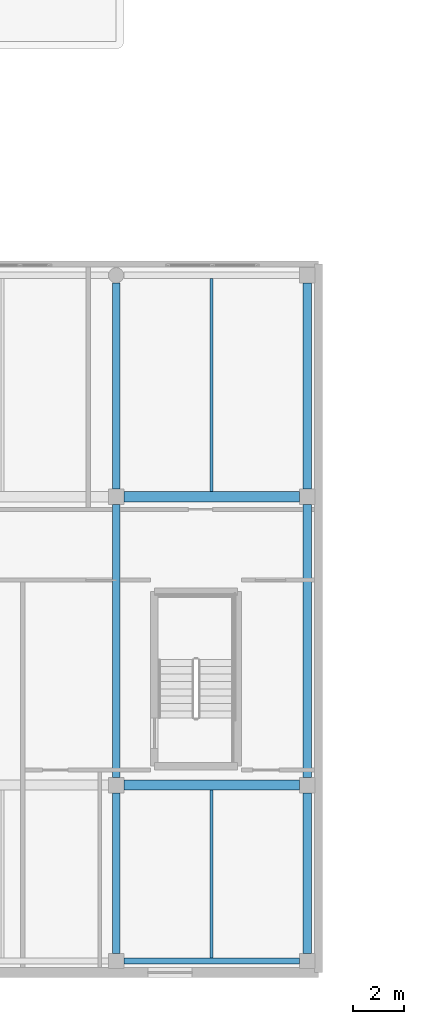
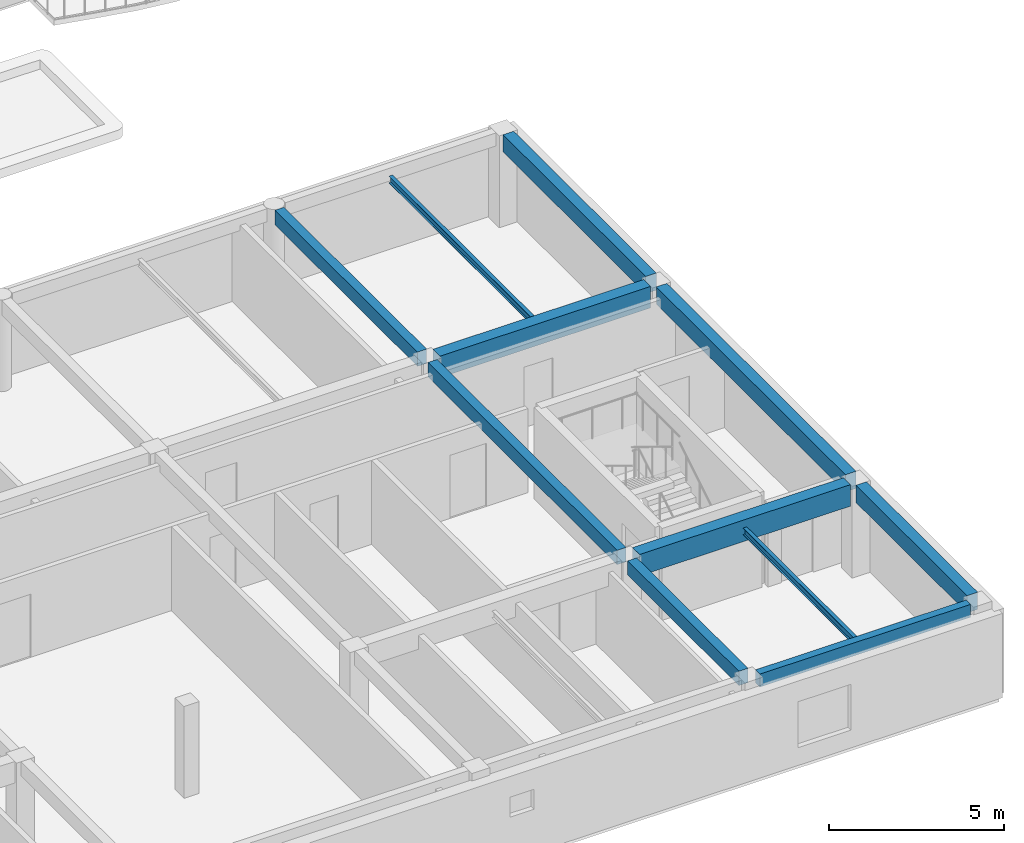
# One storey, part 62 of 128: 11 beams.
"""IFC4 building model written with IfcOpenShell, lengths in metres."""

import ifcopenshell
import ifcopenshell.guid

model = None  # the IFC model being written
_history = None  # IfcOwnerHistory: only IFC2X3 demands one
_inside = {}  # id of a spatial element -> (the spatial element, [elements in it])
_under = {}  # id of a project, library or spatial element -> (it, [spatial elements below it])
_declared = {}  # id of a project -> (the project, [libraries it declares])
_typed = {}  # id of a type object -> (the type object, [elements of that type])
_made_of = {}  # id of a material, layer set ... -> (it, [elements and type objects made of it])


def new_model(schema):
    """Start an empty IFC model of exactly this schema.

    Asked for "IFC4X3", IfcOpenShell would pick the latest addendum, in which some entities
    have other attributes; the version numbers below select the first issue.
    IFC2X3 requires an IfcOwnerHistory on every rooted entity: one is made here for all.
    """
    global model, _history
    if schema == "IFC4X3":
        model = ifcopenshell.file(schema_version=(4, 3, 0, 0))
    else:
        model = ifcopenshell.file(schema=schema)
    _inside.clear()
    _under.clear()
    _declared.clear()
    _typed.clear()
    _made_of.clear()
    _history = None
    if model.schema == "IFC2X3":
        org = make("IfcOrganization", Name="unknown")
        user = make(
            "IfcPersonAndOrganization",
            ThePerson=make("IfcPerson", FamilyName="unknown"),
            TheOrganization=org,
        )
        app = make(
            "IfcApplication",
            ApplicationDeveloper=org,
            Version="unknown",
            ApplicationFullName="unknown",
            ApplicationIdentifier="unknown",
        )
        _history = make(
            "IfcOwnerHistory",
            OwningUser=user,
            OwningApplication=app,
            ChangeAction="ADDED",
            CreationDate=0,
        )
    return model


def make(cls, **values):
    """One entity of the class cls with the attributes given. An attribute that is None is left unset."""
    return model.create_entity(
        cls, **{name: value for name, value in values.items() if value is not None}
    )


def rooted(cls, **values):
    """An entity with a GlobalId (a new one), such as an element, a storey or a relation."""
    return make(cls, GlobalId=ifcopenshell.guid.new(), OwnerHistory=_history, **values)


def si_unit(unit_type, name, prefix=None):
    """IfcSIUnit, for example si_unit("LENGTHUNIT", "METRE", prefix="MILLI")."""
    return make("IfcSIUnit", UnitType=unit_type, Prefix=prefix, Name=name)


def assignment(units):
    """IfcUnitAssignment: the units of a project."""
    return None if units is None else make("IfcUnitAssignment", Units=units)


def point(xyz):
    """IfcCartesianPoint."""
    return None if xyz is None else make("IfcCartesianPoint", Coordinates=xyz)


def direction(xyz):
    """IfcDirection."""
    return None if xyz is None else make("IfcDirection", DirectionRatios=xyz)


def frame(location, z_axis=None, x_axis=None):
    """IfcAxis2Placement3D, a coordinate frame: its origin and axes. An axis left out is left unset."""
    return make(
        "IfcAxis2Placement3D",
        Location=point(location),
        Axis=direction(z_axis),
        RefDirection=direction(x_axis),
    )


def frame_2d(location, x_axis=None):
    """IfcAxis2Placement2D, a coordinate frame in the plane: its origin and x axis."""
    return make(
        "IfcAxis2Placement2D", Location=point(location), RefDirection=direction(x_axis)
    )


def origin():
    """The frame at (0, 0, 0) with its axes left unset."""
    return frame((0.0, 0.0, 0.0))


def origin_2d():
    """The frame at (0, 0) in the plane with its x axis left unset."""
    return frame_2d((0.0, 0.0))


def place(relative_to, where):
    """IfcLocalPlacement: puts the frame where relative to a parent placement (None: the world)."""
    return make(
        "IfcLocalPlacement", PlacementRelTo=relative_to, RelativePlacement=where
    )


def context(
    kind, dimensions, precision=None, world=None, true_north=None, identifier=None
):
    """IfcGeometricRepresentationContext, for example the 3D "Model" context."""
    return make(
        "IfcGeometricRepresentationContext",
        ContextIdentifier=identifier,
        ContextType=kind,
        CoordinateSpaceDimension=dimensions,
        Precision=precision,
        WorldCoordinateSystem=world,
        TrueNorth=true_north,
    )


def subcontext(parent, identifier, kind, view, scale=None):
    """IfcGeometricRepresentationSubContext, for example "Body" below "Model"."""
    return make(
        "IfcGeometricRepresentationSubContext",
        ContextIdentifier=identifier,
        ContextType=kind,
        ParentContext=parent,
        TargetScale=scale,
        TargetView=view,
    )


def project(units=None, contexts=None):
    """IfcProject with its units and contexts."""
    return rooted(
        "IfcProject",
        Name="project",
        RepresentationContexts=contexts,
        UnitsInContext=assignment(units),
    )


def spatial(cls, under=None, at=None, **own):
    """A site, building, storey or space (cls), placed at a placement, below another one or the project."""
    s = rooted(cls, ObjectPlacement=at, **own)
    if under is not None:
        _under.setdefault(under.id(), (under, []))[1].append(s)
    return s


def profile(cls, at=None, kind="AREA", **sizes):
    """A parametric profile (cls). Its sizes go by their IFC names, for example OverallWidth=200.0."""
    return make(cls, ProfileType=kind, Position=at, **sizes)


def rectangle(**sizes):
    """IfcRectangleProfileDef."""
    return profile("IfcRectangleProfileDef", **sizes)


def i_section(**sizes):
    """IfcIShapeProfileDef."""
    return profile("IfcIShapeProfileDef", **sizes)


def extrude(swept, where, along, depth):
    """IfcExtrudedAreaSolid: the profile swept, set in the frame where, extruded along a direction by depth."""
    return make(
        "IfcExtrudedAreaSolid",
        SweptArea=swept,
        Position=where,
        ExtrudedDirection=direction(along),
        Depth=depth,
    )


def shape(context_of_items, identifier, shape_type, items):
    """IfcShapeRepresentation: the items that make up one representation, for example the "Body"."""
    return make(
        "IfcShapeRepresentation",
        ContextOfItems=context_of_items,
        RepresentationIdentifier=identifier,
        RepresentationType=shape_type,
        Items=items,
    )


def material(Name=None, Category=None):
    """IfcMaterial."""
    return make("IfcMaterial", Name=Name, Category=Category)


def material_profile(
    of_material, cross_section, Name=None, Category=None, Priority=None
):
    """IfcMaterialProfile: a cross section and its material."""
    return make(
        "IfcMaterialProfile",
        Name=Name,
        Material=of_material,
        Profile=cross_section,
        Priority=Priority,
        Category=Category,
    )


def profile_set(profiles, Name=None, composite=None):
    """IfcMaterialProfileSet."""
    return make(
        "IfcMaterialProfileSet",
        Name=Name,
        MaterialProfiles=profiles,
        CompositeProfile=composite,
    )


def made_of(thing, what):
    """Note that an element or type object is made of a material, layer set ...; save() writes the relation."""
    if what is not None:
        _made_of.setdefault(what.id(), (what, []))[1].append(thing)
    return thing


def type_object(cls, material=None, **own):
    """A type object (cls), such as IfcWallType, which elements share."""
    return made_of(rooted(cls, **own), material)


def element(
    cls,
    number,
    at=None,
    inside=None,
    cuts=None,
    type_object=None,
    material=None,
    context=None,
    identifier="Body",
    shape_type=None,
    held_by="IfcProductDefinitionShape",
    body=None,
    shapes=None,
    **own,
):
    """One element of the class cls, such as IfcWall. Its Tag is "e" and its number.

    at: its placement. inside: the storey or other place that contains it. cuts: it is an
    opening in that element (IfcRelVoidsElement). A single representation is given by context,
    identifier, shape_type and body (its items); several are given by shapes. held_by: the class
    of the entity that holds the representations. save() writes the other relations.
    """
    e = rooted(cls, Tag="e%d" % number, ObjectPlacement=at, **own)
    if body is not None:
        shapes = [shape(context, identifier, shape_type, body)]
    if shapes is not None:
        e.Representation = make(held_by, Representations=shapes)
    if inside is not None:
        _inside.setdefault(inside.id(), (inside, []))[1].append(e)
    if cuts is not None:
        rooted(
            "IfcRelVoidsElement", RelatingBuildingElement=cuts, RelatedOpeningElement=e
        )
    if type_object is not None:
        _typed.setdefault(type_object.id(), (type_object, []))[1].append(e)
    return made_of(e, material)


def aggregate(whole, parts):
    """IfcRelAggregates: a whole, such as a stair, and the parts it consists of."""
    return rooted("IfcRelAggregates", RelatingObject=whole, RelatedObjects=parts)


def save(model, path):
    """Write the relations noted so far, then the file.

    IfcRelAggregates (storeys below a building ...), IfcRelContainedInSpatialStructure (elements
    in a storey), IfcRelDefinesByType, IfcRelAssociatesMaterial and IfcRelDeclares: one each for
    every whole, place, type object, material and project.
    """
    for whole, parts in _under.values():
        aggregate(whole, parts)
    for where, things in _inside.values():
        rooted(
            "IfcRelContainedInSpatialStructure",
            RelatedElements=things,
            RelatingStructure=where,
        )
    for kind, things in _typed.values():
        rooted("IfcRelDefinesByType", RelatedObjects=things, RelatingType=kind)
    for what, things in _made_of.values():
        rooted("IfcRelAssociatesMaterial", RelatedObjects=things, RelatingMaterial=what)
    for by, libraries in _declared.values():
        rooted("IfcRelDeclares", RelatingContext=by, RelatedDefinitions=libraries)
    model.write(path)


model = new_model("IFC4")

# Units and contexts
model_context = context("Model", 3, precision=1e-05, world=origin(), true_north=direction((0.0, 1.0)))
body_context = subcontext(model_context, "Body", "Model", "MODEL_VIEW")
ifc_project = project(units=[si_unit("LENGTHUNIT", "METRE"), si_unit("AREAUNIT", "SQUARE_METRE"), si_unit("VOLUMEUNIT", "CUBIC_METRE"), si_unit("PLANEANGLEUNIT", "RADIAN"), si_unit("MASSUNIT", "GRAM", prefix="KILO")], contexts=[model_context])

# Site, building, storey
site_placement = place(None, origin())
site = spatial("IfcSite", under=ifc_project, at=site_placement, CompositionType="ELEMENT")
building_placement = place(site_placement, origin())
building = spatial("IfcBuilding", under=site, at=building_placement, Name="Keldmere Railside Commons", CompositionType="ELEMENT")
storey_placement = place(building_placement, frame((0.0, 0.0, 4.159912109375)))
storey = spatial("IfcBuildingStorey", under=building, at=storey_placement, Name="L01", CompositionType="ELEMENT", Elevation=4.159912109375)

# Beams
ifc_material_1 = material(Name="Concrete H-35 (C35/45)", Category="concrete")
ifc_material_profile_1 = material_profile(ifc_material_1, rectangle(XDim=0.39990234375, YDim=0.75, at=origin_2d()), Name="RC-400x750")
ifc_profile_set_1 = profile_set([ifc_material_profile_1], Name="Concrete H-35 (C35/45)")
beam_type_1 = type_object("IfcBeamType", Name="Civic Frame RC Girder 400x750", PredefinedType="BEAM", material=ifc_profile_set_1)
for number, where, z_axis, x_axis, name in (
    (1, (168.300048828125, 19.39990234375, 2.8251953125), (1.0, 0.0, 0.0), (0.0, 1.0, 0.0), "BG-2 BM-L01-0756"),
    (2, (168.300048828125, 30.800048828125, 2.8251953125), (1.0, 0.0, 0.0), (0.0, 1.0, 0.0), "BG-2 BM-L01-0765"),
):
    element("IfcBeam", number, at=place(storey_placement, frame(where, z_axis=z_axis, x_axis=x_axis)), inside=storey, type_object=beam_type_1, Name=name, PredefinedType="BEAM", context=body_context, shape_type="SweptSolid", body=[
        extrude(rectangle(XDim=0.39990234375, YDim=0.75, at=origin_2d()), origin(), (0.0, 0.0, 1.0), 6.949951171875),
    ])
ifc_material_2 = material(Name="Steel F-36 (S355)", Category="steel")
ifc_material_profile_2 = material_profile(ifc_material_2, i_section(OverallWidth=0.1201171875, OverallDepth=0.239990234375, WebThickness=0.006103515625, FlangeThickness=0.009765625, at=origin_2d()), Name="IPE-240")
ifc_profile_set_2 = profile_set([ifc_material_profile_2], Name="Steel F-36 (S355)")
beam_type_2 = type_object("IfcBeamType", Name="Nursery & Mezzanine Steel Joist IPE240", PredefinedType="JOIST", material=ifc_profile_set_2)
beam_1_placement = place(storey_placement, frame((171.77490234375, 12.574951171875, 2.81005859375), z_axis=(0.0, 1.0, 0.0), x_axis=(-1.0, 0.0, 0.0)))
element("IfcBeam", 3, at=beam_1_placement, inside=storey, type_object=beam_type_2, Name="JST-2 BM-L01-0985", PredefinedType="JOIST", context=body_context, shape_type="SweptSolid", body=[
    extrude(i_section(OverallWidth=0.1201171875, OverallDepth=0.239990234375, WebThickness=0.006103515625, FlangeThickness=0.009765625, at=origin_2d()), origin(), (0.0, 0.0, 1.0), 6.625),
])
beam_2_placement = place(storey_placement, frame((171.77490234375, 31.0, 2.81005859375), z_axis=(0.0, 1.0, 0.0), x_axis=(-1.0, 0.0, 0.0)))
element("IfcBeam", 4, at=beam_2_placement, inside=storey, type_object=beam_type_2, Name="JST-2 BM-L01-0995", PredefinedType="JOIST", context=body_context, shape_type="SweptSolid", body=[
    extrude(i_section(OverallWidth=0.1201171875, OverallDepth=0.239990234375, WebThickness=0.006103515625, FlangeThickness=0.009765625, at=origin_2d()), origin(), (0.0, 0.0, 1.0), 8.425048828125),
])
ifc_material_3 = material(Name="Architectural Precast Concrete H-35 (C35/45)", Category="concrete")
ifc_material_profile_3 = material_profile(ifc_material_3, rectangle(XDim=0.25, YDim=0.449951171875, at=origin_2d()), Name="RC-250x450")
ifc_profile_set_3 = profile_set([ifc_material_profile_3], Name="Architectural Precast Concrete H-35 (C35/45)")
beam_type_3 = type_object("IfcBeamType", Name="Perimeter Precast Spandrel Beam 250x450", PredefinedType="SPANDREL", material=ifc_profile_set_3)
beam_3_placement = place(storey_placement, frame((168.300048828125, 12.449951171875, 2.97509765625), z_axis=(1.0, 0.0, 0.0), x_axis=(0.0, 1.0, 0.0)))
element("IfcBeam", 5, at=beam_3_placement, inside=storey, type_object=beam_type_3, Name="SPB-1 BM-L01-0748", PredefinedType="SPANDREL", context=body_context, shape_type="SweptSolid", body=[
    extrude(rectangle(XDim=0.25, YDim=0.449951171875, at=origin_2d()), origin(), (0.0, 0.0, 1.0), 6.949951171875),
])
ifc_material_4 = material(Name="Concrete H-30 (C30/37)", Category="concrete")
ifc_material_profile_4 = material_profile(ifc_material_4, rectangle(XDim=0.35009765625, YDim=0.60009765625, at=origin_2d()), Name="RC-350x600")
ifc_profile_set_4 = profile_set([ifc_material_profile_4], Name="Concrete H-30 (C30/37)")
beam_type_4 = type_object("IfcBeamType", Name="Residential Chord RC Beam 350x600", PredefinedType="BEAM", material=ifc_profile_set_4)
beam_4_placement = place(storey_placement, frame((175.550048828125, 12.75, 2.900146484375), z_axis=(0.0, 1.0, 0.0), x_axis=(-1.0, 0.0, 0.0)))
element("IfcBeam", 6, at=beam_4_placement, inside=storey, type_object=beam_type_4, Name="BG-4 BM-L01-0970", PredefinedType="BEAM", context=body_context, shape_type="SweptSolid", body=[
    extrude(rectangle(XDim=0.35009765625, YDim=0.60009765625, at=origin_2d()), origin(), (0.0, 0.0, 1.0), 6.35009765625),
])
beam_5_placement = place(storey_placement, frame((175.550048828125, 19.699951171875, 2.900146484375), z_axis=(0.0, 1.0, 0.0), x_axis=(-1.0, 0.0, 0.0)))
element("IfcBeam", 7, at=beam_5_placement, inside=storey, type_object=beam_type_4, Name="BG-4 BM-L01-0971", PredefinedType="BEAM", context=body_context, shape_type="SweptSolid", body=[
    extrude(rectangle(XDim=0.35009765625, YDim=0.60009765625, at=origin_2d()), origin(), (0.0, 0.0, 1.0), 10.800048828125),
])
beam_6_placement = place(storey_placement, frame((175.550048828125, 31.10009765625, 2.900146484375), z_axis=(0.0, 1.0, 0.0), x_axis=(-1.0, 0.0, 0.0)))
element("IfcBeam", 8, at=beam_6_placement, inside=storey, type_object=beam_type_4, Name="BG-4 BM-L01-0972", PredefinedType="BEAM", context=body_context, shape_type="SweptSolid", body=[
    extrude(rectangle(XDim=0.35009765625, YDim=0.60009765625, at=origin_2d()), origin(), (0.0, 0.0, 1.0), 8.14990234375),
])
ifc_material_profile_5 = material_profile(ifc_material_4, rectangle(XDim=0.300048828125, YDim=0.5, at=origin_2d()), Name="RC-300x500")
ifc_profile_set_5 = profile_set([ifc_material_profile_5], Name="Concrete H-30 (C30/37)")
beam_type_5 = type_object("IfcBeamType", Name="Secondary Frame RC Beam 300x500", PredefinedType="BEAM", material=ifc_profile_set_5)
beam_7_placement = place(storey_placement, frame((168.0, 12.75, 2.9501953125), z_axis=(0.0, 1.0, 0.0), x_axis=(-1.0, 0.0, 0.0)))
element("IfcBeam", 9, at=beam_7_placement, inside=storey, type_object=beam_type_5, Name="BG-5 BM-L01-0955", PredefinedType="BEAM", context=body_context, shape_type="SweptSolid", body=[
    extrude(rectangle(XDim=0.300048828125, YDim=0.5, at=origin_2d()), origin(), (0.0, 0.0, 1.0), 6.35009765625),
])
beam_8_placement = place(storey_placement, frame((168.0, 19.699951171875, 2.9501953125), z_axis=(0.0, 1.0, 0.0), x_axis=(-1.0, 0.0, 0.0)))
element("IfcBeam", 10, at=beam_8_placement, inside=storey, type_object=beam_type_5, Name="BG-5 BM-L01-0956", PredefinedType="BEAM", context=body_context, shape_type="SweptSolid", body=[
    extrude(rectangle(XDim=0.300048828125, YDim=0.5, at=origin_2d()), origin(), (0.0, 0.0, 1.0), 10.800048828125),
])
beam_9_placement = place(storey_placement, frame((168.0, 31.10009765625, 2.9501953125), z_axis=(0.0, 1.0, 0.0), x_axis=(-1.0, 0.0, 0.0)))
element("IfcBeam", 11, at=beam_9_placement, inside=storey, type_object=beam_type_5, Name="BG-5 BM-L01-0957", PredefinedType="BEAM", context=body_context, shape_type="SweptSolid", body=[
    extrude(rectangle(XDim=0.300048828125, YDim=0.5, at=origin_2d()), origin(), (0.0, 0.0, 1.0), 8.14990234375),
])

save(model, "model.ifc")
